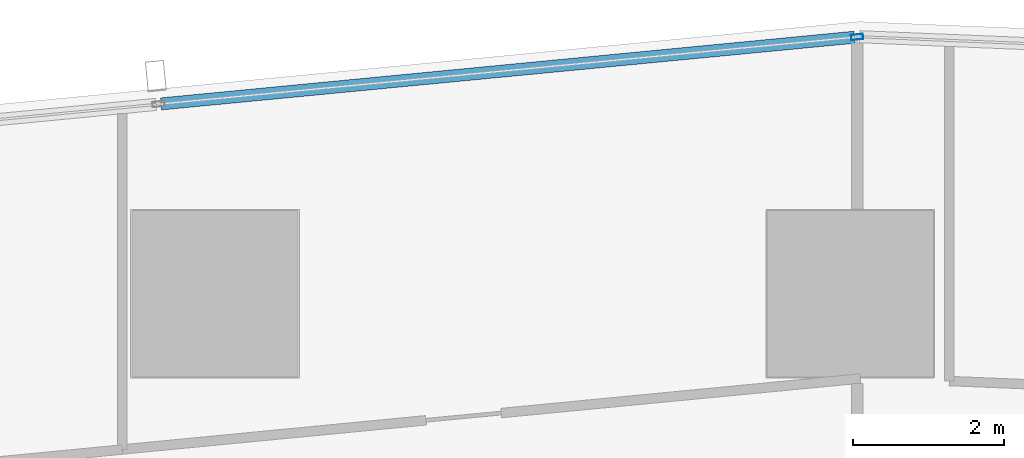
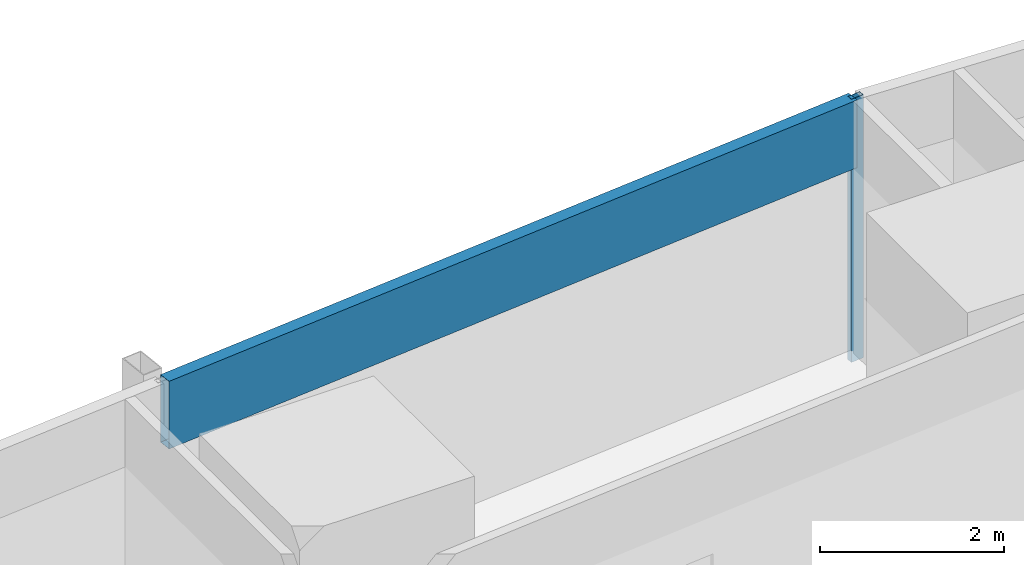
# One storey, part 17 of 45: 2 members, 1 element without a shape of its own.
"""IFC4 building model written with IfcOpenShell, lengths in metres."""

from ifc_helpers import new_model, si_unit, direction, frame, origin, origin_2d, place, context, subcontext, project, spatial, hollow_rectangle, extrude, material, material_profile, profile_set, type_object, element, aggregate, save


model = new_model("IFC4")

# Units and contexts
model_context = context("Model", 3, precision=1e-05, world=origin(), true_north=direction((0.0, 1.0)))
body_context = subcontext(model_context, "Body", "Model", "MODEL_VIEW")
ifc_project = project(units=[si_unit("LENGTHUNIT", "METRE"), si_unit("AREAUNIT", "SQUARE_METRE"), si_unit("VOLUMEUNIT", "CUBIC_METRE"), si_unit("PLANEANGLEUNIT", "RADIAN"), si_unit("MASSUNIT", "GRAM", prefix="KILO")], contexts=[model_context])

# Site, building, storey
site_placement = place(None, origin())
site = spatial("IfcSite", under=ifc_project, at=site_placement, CompositionType="ELEMENT")
building_placement = place(site_placement, origin())
building = spatial("IfcBuilding", under=site, at=building_placement, Name="Rekha Terrace Tower", CompositionType="ELEMENT")
storey_placement = place(building_placement, frame((0.0, 0.0, 32.89990234375)))
storey = spatial("IfcBuildingStorey", under=building, at=storey_placement, Name="L07", CompositionType="ELEMENT", Elevation=32.89990234375)

# Curtain wall, members
ifc_material_1 = material(Name="Aluminium framing", Category="aluminium")
curtain_wall_type = type_object("IfcCurtainWallType", Name="CW3 north unitised glazing", PredefinedType="USERDEFINED", material=ifc_material_1)
curtain_wall_placement = place(storey_placement, origin())
curtain_wall = element("IfcCurtainWall", 1, at=curtain_wall_placement, inside=storey, type_object=curtain_wall_type, Name="CW3 unitised curtain wall", ObjectType="UNITISED CURTAIN WALL", PredefinedType="USERDEFINED")
ifc_material_2 = material(Name="Aluminium mullion section", Category="aluminium")
ifc_material_profile_1 = material_profile(ifc_material_2, hollow_rectangle(XDim=0.070068359375, YDim=0.159912109375, WallThickness=0.00390625, at=origin_2d()), Name="AL RHS 70x160")
ifc_profile_set_1 = profile_set([ifc_material_profile_1], Name="Aluminium mullion section")
member_type_1 = type_object("IfcMemberType", Name="CW3 mullion RHS 70 x 160", PredefinedType="MULLION", material=ifc_profile_set_1)
member_1_placement = place(storey_placement, frame((25.29052734375, 62.1962890625, 0.0), z_axis=(0.0, 0.0, 1.0), x_axis=(0.095712406625, -0.995409029102, 0.0)))
member_1 = element("IfcMember", 2, at=member_1_placement, type_object=member_type_1, Name="CW3 mullion 1", PredefinedType="MULLION", context=body_context, shape_type="SweptSolid", body=[
    extrude(hollow_rectangle(XDim=0.070068359375, YDim=0.159912109375, WallThickness=0.00390625, at=origin_2d()), origin(), (0.0, 0.0, 1.0), 3.5),
])
ifc_material_3 = material(Name="Insulated aluminium spandrel box", Category="aluminium")
ifc_material_profile_2 = material_profile(ifc_material_3, hollow_rectangle(XDim=0.159912109375, YDim=0.89990234375, WallThickness=0.0029296875, at=origin_2d()), Name="AL SPANDREL BOX 160x900")
ifc_profile_set_2 = profile_set([ifc_material_profile_2], Name="Insulated aluminium spandrel box")
member_type_2 = type_object("IfcMemberType", Name="CW3 spandrel transom 160 x 900", PredefinedType="USERDEFINED", material=ifc_profile_set_2)
member_2_placement = place(storey_placement, frame((25.255859375, 62.19287109375, 3.050048828125), z_axis=(-0.995408446287, -0.095718467713, 0.0), x_axis=(0.095718467713, -0.995408446287, 0.0)))
member_2 = element("IfcMember", 3, at=member_2_placement, type_object=member_type_2, Name="CW3 spandrel transom 1", ObjectType="TRANSOM", PredefinedType="USERDEFINED", context=body_context, shape_type="SweptSolid", body=[
    extrude(hollow_rectangle(XDim=0.159912109375, YDim=0.89990234375, WallThickness=0.0029296875, at=origin_2d()), origin(), (0.0, 0.0, 1.0), 9.210205078125),
])
aggregate(curtain_wall, [member_1, member_2])

save(model, "model.ifc")
